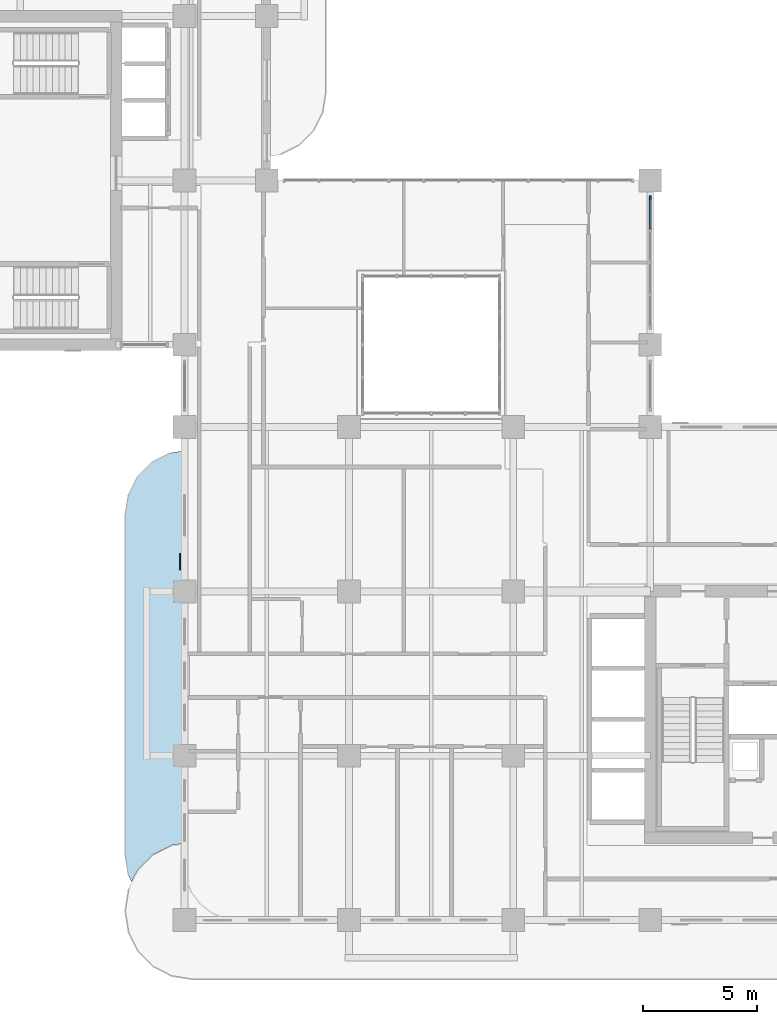
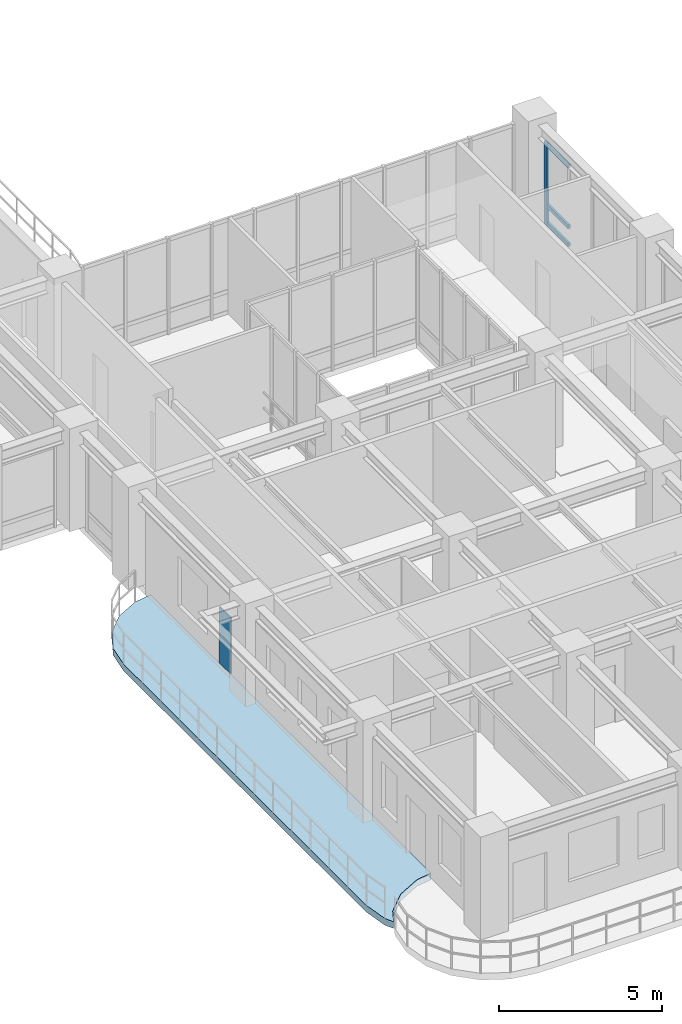
# One storey, part 6 of 20: 4 members, 1 plate, 1 slab, 1 element without a shape of its own.
"""IFC4 building model written with IfcOpenShell, lengths in metres."""

from ifc_helpers import new_model, si_unit, derived_unit, direction, frame, origin, origin_2d, place, context, subcontext, project, spatial, polyline, rectangle, outline, extrude, source, transform, mapped, material, layer, layer_set, material_profile, profile_set, type_object, type_shapes, element, aggregate, save


model = new_model("IFC4")

# Units and contexts
model_context = context("Model", 3, precision=1e-05, world=origin(), true_north=direction((0.0, 1.0)))
body_context = subcontext(model_context, "Body", "Model", "MODEL_VIEW")
ifc_project = project(units=[si_unit("LENGTHUNIT", "METRE"), si_unit("AREAUNIT", "SQUARE_METRE"), si_unit("VOLUMEUNIT", "CUBIC_METRE"), si_unit("PLANEANGLEUNIT", "RADIAN"), si_unit("MASSUNIT", "GRAM", prefix="KILO"), si_unit("THERMODYNAMICTEMPERATUREUNIT", "KELVIN"), si_unit("POWERUNIT", "WATT"), derived_unit("THERMALTRANSMITTANCEUNIT", [(si_unit("POWERUNIT", "WATT"), 1), (si_unit("AREAUNIT", "SQUARE_METRE"), -1), (si_unit("THERMODYNAMICTEMPERATUREUNIT", "KELVIN"), -1)])], contexts=[model_context])

# Site, building, storey
site_placement = place(None, origin())
site = spatial("IfcSite", under=ifc_project, at=site_placement, CompositionType="ELEMENT")
building_placement = place(site_placement, origin())
building = spatial("IfcBuilding", under=site, at=building_placement, Name="Zahravan Archway Hotel and Residences", CompositionType="ELEMENT")
storey_placement = place(building_placement, frame((0.0, 0.0, 177.25)))
storey = spatial("IfcBuildingStorey", under=building, at=storey_placement, Name="L44", CompositionType="ELEMENT", Elevation=177.25)

# Curtain wall, members
ifc_material_1 = material(Name="Bronze-Anodized Unitised Aluminium & Low-E Glass", Category="aluminium")
ifc_layer_1 = layer(ifc_material_1, 0.179931640625, Name="Bronze-Anodized Unitised Aluminium & Low-E Glass", Category="aluminium")
ifc_layer_set_1 = layer_set([ifc_layer_1], Name="Bronze-Anodized Unitised Aluminium & Low-E Glass")
curtain_wall_type = type_object("IfcCurtainWallType", Name="CW-ATR-GLAZ", PredefinedType="NOTDEFINED", material=ifc_layer_set_1)
curtain_wall_placement = place(storey_placement, origin())
curtain_wall = element("IfcCurtainWall", 1, at=curtain_wall_placement, inside=storey, type_object=curtain_wall_type, Name="L44 Curtain Wall CW-L44-HNG-E-2", PredefinedType="NOTDEFINED")
ifc_material_2 = material(Name="Bronze-Anodized Extruded Aluminium", Category="aluminium")
ifc_material_profile_1 = material_profile(ifc_material_2, rectangle(XDim=0.080078125, YDim=0.139892578125, at=origin_2d()), Name="TRN 80x140", Category="aluminium")
ifc_profile_set_1 = profile_set([ifc_material_profile_1], Name="Bronze-Anodized Extruded Aluminium")
member_type_1 = type_object("IfcMemberType", Name="CWM-TRN-140", PredefinedType="USERDEFINED", material=ifc_profile_set_1)
shared_shape_1 = source(origin(), body_context, "Body", "SweptSolid", [
    extrude(rectangle(XDim=0.080078125, YDim=0.139892578125, at=origin_2d()), origin(), (0.0, 0.0, 1.0), 1.340087890625),
])
member_1_placement = place(storey_placement, frame((34.800048828125, 30.260009765625, 0.070068359375), z_axis=(0.0, 1.0, 0.0), x_axis=(-1.0, 0.0, 0.0)))
member_1 = element("IfcMember", 2, at=member_1_placement, type_object=member_type_1, Name="CW-L44-HNG-E-2 Transom 3-1", ObjectType="TRANSOM", PredefinedType="USERDEFINED", context=body_context, shape_type="MappedRepresentation", body=[
    mapped(shared_shape_1, transform((0.0, 0.0, 0.0), scale=1.0)),
])
member_2_placement = place(storey_placement, frame((34.800048828125, 30.260009765625, 0.740478515625), z_axis=(0.0, 1.0, 0.0), x_axis=(-1.0, 0.0, 0.0)))
member_2 = element("IfcMember", 3, at=member_2_placement, type_object=member_type_1, Name="CW-L44-HNG-E-2 Transom 3-2", ObjectType="TRANSOM", PredefinedType="USERDEFINED", context=body_context, shape_type="MappedRepresentation", body=[
    mapped(shared_shape_1, transform((0.0, 0.0, 0.0), scale=1.0)),
])
member_3_placement = place(storey_placement, frame((34.800048828125, 30.260009765625, 3.014892578125), z_axis=(0.0, 1.0, 0.0), x_axis=(-1.0, 0.0, 0.0)))
member_3 = element("IfcMember", 4, at=member_3_placement, type_object=member_type_1, Name="CW-L44-HNG-E-2 Transom 3-3", ObjectType="TRANSOM", PredefinedType="USERDEFINED", context=body_context, shape_type="MappedRepresentation", body=[
    mapped(shared_shape_1, transform((0.0, 0.0, 0.0), scale=1.0)),
])
ifc_material_profile_2 = material_profile(ifc_material_2, rectangle(XDim=0.080078125, YDim=0.159912109375, at=origin_2d()), Name="MUL 80x160", Category="aluminium")
ifc_profile_set_2 = profile_set([ifc_material_profile_2], Name="Bronze-Anodized Extruded Aluminium")
member_type_2 = type_object("IfcMemberType", Name="CWM-MUL-160", PredefinedType="MULLION", material=ifc_profile_set_2)
shared_shape_2 = source(origin(), body_context, "Body", "SweptSolid", [
    extrude(rectangle(XDim=0.080078125, YDim=0.159912109375, at=origin_2d()), origin(), (0.0, 0.0, 1.0), 3.0849609375),
])
member_4_placement = place(storey_placement, frame((34.800048828125, 31.639892578125, 0.0), z_axis=(0.0, 0.0, 1.0), x_axis=(1.0, 0.0, 0.0)))
member_4 = element("IfcMember", 5, at=member_4_placement, type_object=member_type_2, Name="CW-L44-HNG-E-2 Mullion 4", PredefinedType="MULLION", context=body_context, shape_type="MappedRepresentation", body=[
    mapped(shared_shape_2, transform((0.0, 0.0, 0.0), scale=1.0)),
])
aggregate(curtain_wall, [member_4, member_1, member_2, member_3])

# Slab
ifc_material_3 = material(Name="Concrete C45/55", Category="concrete")
ifc_layer_2 = layer(ifc_material_3, 0.25, Name="Concrete C45/55", Category="concrete")
ifc_layer_set_2 = layer_set([ifc_layer_2], Name="Concrete C45/55")
slab_type = type_object("IfcSlabType", Name="SLB-BALC-250", PredefinedType="FLOOR", material=ifc_layer_set_2)
slab_placement = place(storey_placement, frame((0.0, 0.0, -0.25)))
element("IfcSlab", 6, at=slab_placement, inside=storey, type_object=slab_type, Name="L44 Wing A West Rounded Balcony Band", PredefinedType="FLOOR", context=body_context, shape_type="SweptSolid", body=[
    extrude(outline(polyline([(11.939453125, 1.96923828125), (11.800048828125, 2.85009765625), (11.800048828125, 17.75), (11.939453125, 18.630615234375), (12.34423828125, 19.42529296875), (12.974853515625, 20.0556640625), (13.769287109375, 20.46044921875), (14.3798828125, 20.55712890625), (14.3798828125, 3.361328125), (14.37890625, 3.361328125), (14.376953125, 3.361083984375), (13.835205078125, 3.275390625), (13.833251953125, 3.27490234375), (13.831298828125, 3.2744140625), (13.829345703125, 3.2734375), (13.0068359375, 2.8544921875), (13.005126953125, 2.853515625), (13.00341796875, 2.85205078125), (13.001953125, 2.8505859375), (12.349365234375, 2.197998046875), (12.347900390625, 2.196533203125), (12.3466796875, 2.19482421875), (12.345703125, 2.193115234375), (12.08544921875, 1.6826171875), (11.939453125, 1.96923828125)])), origin(), (0.0, 0.0, 1.0), 0.25),
])

# Plate
ifc_material_4 = material(Name="Perforated Cast Bronze Jali Lattice")
ifc_layer_3 = layer(ifc_material_4, 0.044921875, Name="Perforated Cast Bronze Jali Lattice")
ifc_layer_set_3 = layer_set([ifc_layer_3], Name="Perforated Cast Bronze Jali Lattice")
plate_type = type_object("IfcPlateType", Name="PLT-JALI-BAY", PredefinedType="USERDEFINED", material=ifc_layer_set_3)
shared_shape_3 = source(origin(), body_context, "Body", "SweptSolid", [
    extrude(rectangle(XDim=0.699951171875, YDim=0.044921875, at=origin_2d()), origin(), (0.0, 0.0, 1.0), 2.10009765625),
])
type_shapes(plate_type, [shared_shape_3])
plate_placement = place(storey_placement, frame((14.221923828125, 15.699951171875, 0.25), z_axis=(0.0, 0.0, 1.0), x_axis=(0.0, 1.0, 0.0)))
element("IfcPlate", 7, at=plate_placement, inside=storey, type_object=plate_type, Name="L44 Perforated Bronze Jali Pier Screen 06", ObjectType="SCREEN", PredefinedType="USERDEFINED", context=body_context, shape_type="MappedRepresentation", body=[
    mapped(shared_shape_3, transform((0.0, 0.0, 0.0), scale=1.0)),
])

save(model, "model.ifc")
